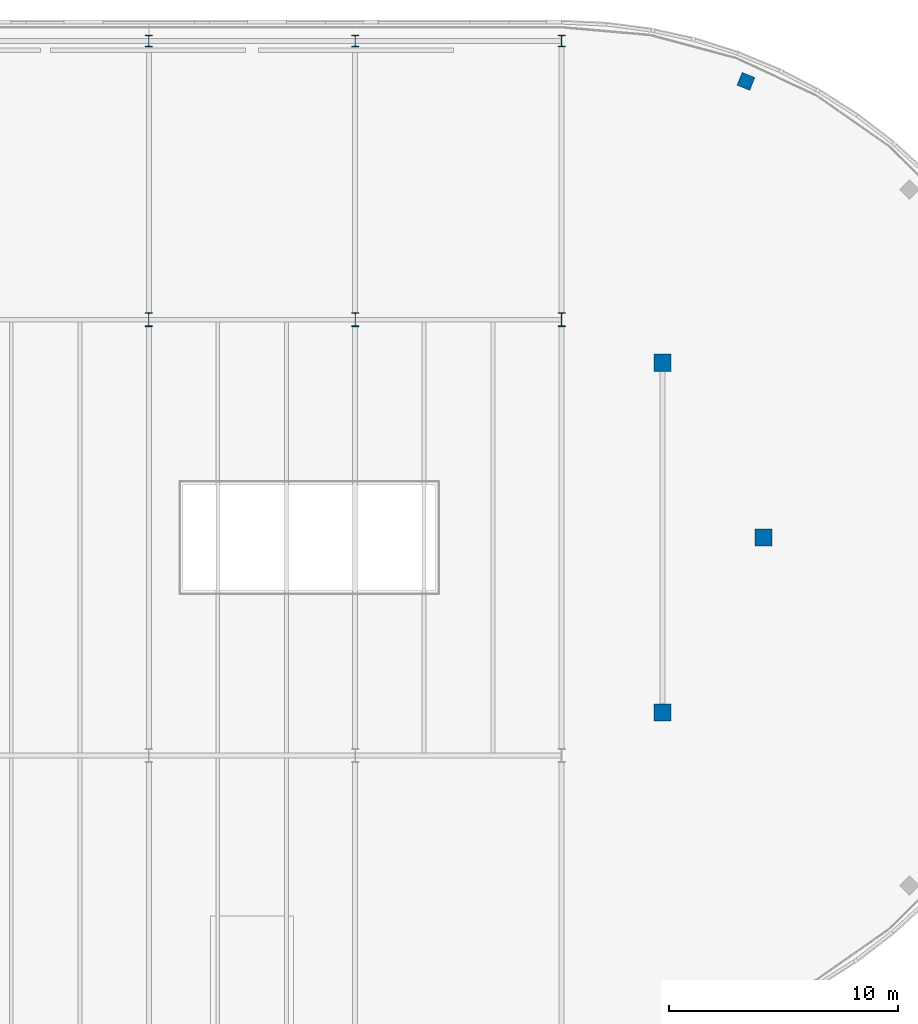
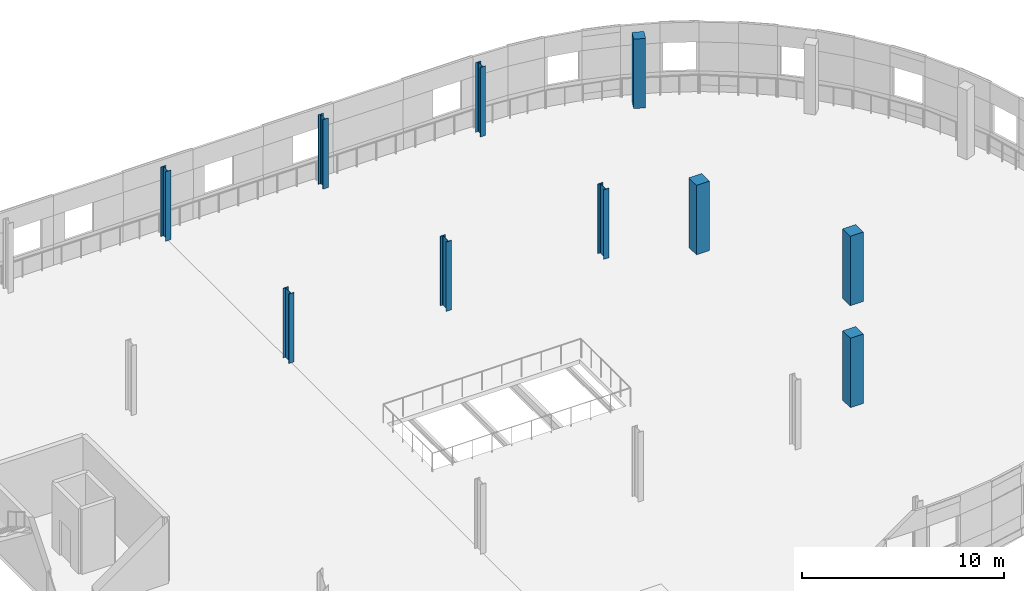
# One storey, part 12 of 132: 10 columns.
"""IFC4 building model written with IfcOpenShell, lengths in metres."""

from ifc_helpers import new_model, si_unit, direction, frame, origin, origin_2d, place, context, subcontext, project, spatial, rectangle, i_section, extrude, material, material_profile, profile_set, type_object, element, save


model = new_model("IFC4")

# Units and contexts
model_context = context("Model", 3, precision=1e-05, world=origin(), true_north=direction((0.0, 1.0)))
body_context = subcontext(model_context, "Body", "Model", "MODEL_VIEW")
ifc_project = project(units=[si_unit("LENGTHUNIT", "METRE"), si_unit("AREAUNIT", "SQUARE_METRE"), si_unit("VOLUMEUNIT", "CUBIC_METRE"), si_unit("PLANEANGLEUNIT", "RADIAN"), si_unit("MASSUNIT", "GRAM", prefix="KILO")], contexts=[model_context])

# Site, building, storey
site_placement = place(None, origin())
site = spatial("IfcSite", under=ifc_project, at=site_placement, CompositionType="ELEMENT")
building_placement = place(site_placement, origin())
building = spatial("IfcBuilding", under=site, at=building_placement, Name="Deido Ridge Mobility Hub", CompositionType="ELEMENT")
storey_placement = place(building_placement, frame((0.0, 0.0, 8.39990234375)))
storey = spatial("IfcBuildingStorey", under=building, at=storey_placement, Name="L02", CompositionType="ELEMENT", Elevation=8.39990234375)

# Columns
ifc_material_1 = material(Name="Steel S355J2 EN 10025-2", Category="steel")
ifc_material_profile_1 = material_profile(ifc_material_1, i_section(OverallWidth=0.300048828125, OverallDepth=0.5, WebThickness=0.014404296875, FlangeThickness=0.028076171875, FilletRadius=0.027099609375, at=origin_2d()), Name="HEB 500")
ifc_profile_set_1 = profile_set([ifc_material_profile_1], Name="Steel S355J2 EN 10025-2")
column_type_1 = type_object("IfcColumnType", Name="COL-HEB500", PredefinedType="COLUMN", material=ifc_profile_set_1)
for number, where, z_axis, x_axis, name in (
    (1, (99.0, 125.14990234375, 0.0), (0.0, 0.0, 1.0), (1.0, 0.0, 0.0), "Structural column C5"),
    (2, (108.0, 125.14990234375, 0.0), (0.0, 0.0, 1.0), (1.0, 0.0, 0.0), "Structural column C5"),
    (3, (117.0, 125.14990234375, 0.0), (0.0, 0.0, 1.0), (1.0, 0.0, 0.0), "Structural column C5"),
):
    element("IfcColumn", number, at=place(storey_placement, frame(where, z_axis=z_axis, x_axis=x_axis)), inside=storey, type_object=column_type_1, Name=name, PredefinedType="COLUMN", context=body_context, shape_type="SweptSolid", body=[
        extrude(i_section(OverallWidth=0.300048828125, OverallDepth=0.5, WebThickness=0.014404296875, FlangeThickness=0.028076171875, FilletRadius=0.027099609375, at=origin_2d()), origin(), (0.0, 0.0, 1.0), 4.2001953125),
    ])
ifc_material_profile_2 = material_profile(ifc_material_1, i_section(OverallWidth=0.300048828125, OverallDepth=0.60009765625, WebThickness=0.015380859375, FlangeThickness=0.030029296875, FilletRadius=0.027099609375, at=origin_2d()), Name="HEB 600")
ifc_profile_set_2 = profile_set([ifc_material_profile_2], Name="Steel S355J2 EN 10025-2")
column_type_2 = type_object("IfcColumnType", Name="COL-HEB600", PredefinedType="COLUMN", material=ifc_profile_set_2)
for number, where, z_axis, x_axis, name in (
    (4, (99.0, 113.0, 0.0), (0.0, 0.0, 1.0), (1.0, 0.0, 0.0), "Structural column C4"),
    (5, (108.0, 113.0, 0.0), (0.0, 0.0, 1.0), (1.0, 0.0, 0.0), "Structural column C4"),
    (6, (117.0, 113.0, 0.0), (0.0, 0.0, 1.0), (1.0, 0.0, 0.0), "Structural column C4"),
):
    element("IfcColumn", number, at=place(storey_placement, frame(where, z_axis=z_axis, x_axis=x_axis)), inside=storey, type_object=column_type_2, Name=name, PredefinedType="COLUMN", context=body_context, shape_type="SweptSolid", body=[
        extrude(i_section(OverallWidth=0.300048828125, OverallDepth=0.60009765625, WebThickness=0.015380859375, FlangeThickness=0.030029296875, FilletRadius=0.027099609375, at=origin_2d()), origin(), (0.0, 0.0, 1.0), 4.2001953125),
    ])
ifc_material_2 = material(Name="Concrete C40/50", Category="concrete")
ifc_material_profile_3 = material_profile(ifc_material_2, rectangle(XDim=0.60009765625, YDim=0.60009765625, at=origin_2d()), Name="RC COL 600x600")
ifc_profile_set_3 = profile_set([ifc_material_profile_3], Name="Concrete C40/50")
column_type_3 = type_object("IfcColumnType", Name="COL-RC600", PredefinedType="COLUMN", material=ifc_profile_set_3)
column_placement = place(storey_placement, frame((125.035400390625, 123.38818359375, 0.0), z_axis=(0.0, 0.0, 1.0), x_axis=(0.374606593416, 0.927183854567, 0.0)))
element("IfcColumn", 7, at=column_placement, inside=storey, type_object=column_type_3, Name="Structural column RC2", PredefinedType="COLUMN", context=body_context, shape_type="SweptSolid", body=[
    extrude(rectangle(XDim=0.60009765625, YDim=0.60009765625, at=origin_2d()), origin(), (0.0, 0.0, 1.0), 4.2001953125),
])
ifc_material_profile_4 = material_profile(ifc_material_2, rectangle(XDim=0.75, YDim=0.75, at=origin_2d()), Name="RC COL 750x750")
ifc_profile_set_4 = profile_set([ifc_material_profile_4], Name="Concrete C40/50")
column_type_4 = type_object("IfcColumnType", Name="COL-RC750", PredefinedType="COLUMN", material=ifc_profile_set_4)
for number, where, z_axis, x_axis, name in (
    (8, (121.39990234375, 95.87890625, 0.0), (0.0, 0.0, 1.0), (1.0, 0.0, 0.0), "Structural column RC1"),
    (9, (125.800048828125, 103.5, 0.0), (0.0, 0.0, 1.0), (1.0, 0.0, 0.0), "Structural column RC1"),
    (10, (121.39990234375, 111.12109375, 0.0), (0.0, 0.0, 1.0), (1.0, 0.0, 0.0), "Structural column RC1"),
):
    element("IfcColumn", number, at=place(storey_placement, frame(where, z_axis=z_axis, x_axis=x_axis)), inside=storey, type_object=column_type_4, Name=name, PredefinedType="COLUMN", context=body_context, shape_type="SweptSolid", body=[
        extrude(rectangle(XDim=0.75, YDim=0.75, at=origin_2d()), origin(), (0.0, 0.0, 1.0), 4.2001953125),
    ])

save(model, "model.ifc")
